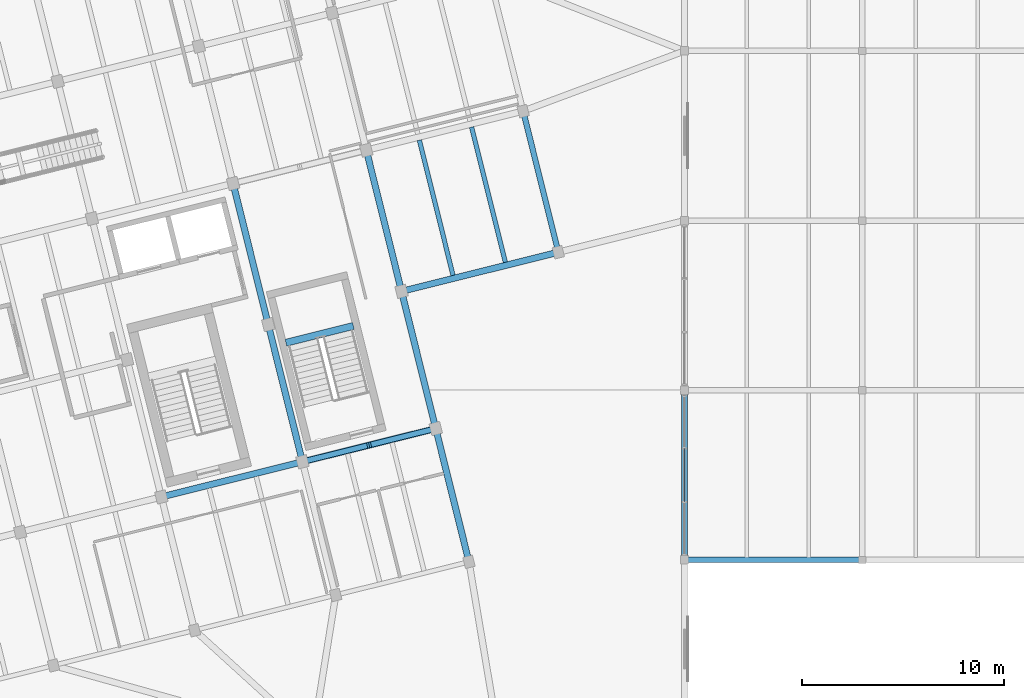
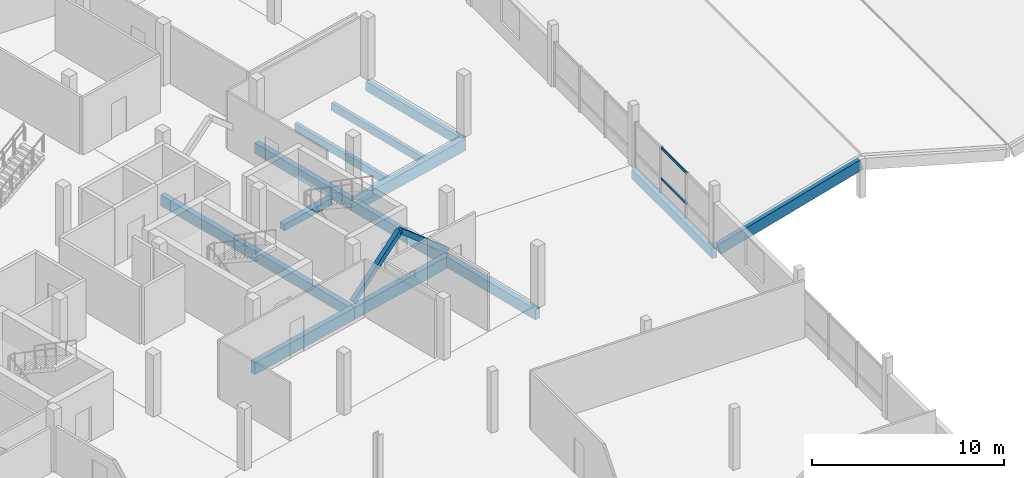
# One storey, part 24 of 47: 14 beams, 4 members, 1 element without a shape of its own.
"""IFC4 building model written with IfcOpenShell, lengths in metres."""

from ifc_helpers import new_model, si_unit, direction, frame, origin, origin_2d, place, context, subcontext, project, spatial, rectangle, hollow_rectangle, extrude, material, layer, layer_set, material_profile, profile_set, type_object, element, aggregate, save


model = new_model("IFC4")

# Units and contexts
model_context = context("Model", 3, precision=1e-05, world=origin(), true_north=direction((0.0, 1.0)))
body_context = subcontext(model_context, "Body", "Model", "MODEL_VIEW")
ifc_project = project(units=[si_unit("LENGTHUNIT", "METRE"), si_unit("AREAUNIT", "SQUARE_METRE"), si_unit("VOLUMEUNIT", "CUBIC_METRE"), si_unit("PLANEANGLEUNIT", "RADIAN"), si_unit("MASSUNIT", "GRAM", prefix="KILO")], contexts=[model_context])

# Site, building, storey
site_placement = place(None, origin())
site = spatial("IfcSite", under=ifc_project, at=site_placement, CompositionType="ELEMENT")
building_placement = place(site_placement, origin())
building = spatial("IfcBuilding", under=site, at=building_placement, Name="Meriwether Solvik Hall", CompositionType="ELEMENT")
storey_placement = place(building_placement, frame((0.0, 0.0, 18.300048828125)))
storey = spatial("IfcBuildingStorey", under=building, at=storey_placement, Name="L04", CompositionType="ELEMENT", Elevation=18.300048828125)

# Beams
ifc_material_1 = material(Name="Glulam Douglas-Fir 24F-V8 GL28h", Category="wood")
ifc_material_profile_1 = material_profile(ifc_material_1, rectangle(XDim=0.27294921875, YDim=0.610107421875, at=origin_2d()), Name="GLB-273X610")
ifc_profile_set_1 = profile_set([ifc_material_profile_1], Name="Glulam Douglas-Fir 24F-V8 GL28h")
beam_type_1 = type_object("IfcBeamType", Name="BM-GL-273X610", PredefinedType="SPANDREL", material=ifc_profile_set_1)
beam_1_placement = place(storey_placement, frame((114.199951171875, 50.0, -0.550048828125), z_axis=(0.0, 1.0, 0.0), x_axis=(-1.0, 0.0, 0.0)))
element("IfcBeam", 1, at=beam_1_placement, inside=storey, type_object=beam_type_1, Name="Podium Girder 13:F-G (L04)", PredefinedType="SPANDREL", context=body_context, shape_type="SweptSolid", body=[
    extrude(rectangle(XDim=0.27294921875, YDim=0.610107421875, at=origin_2d()), origin(), (0.0, 0.0, 1.0), 8.39990234375),
])
beam_2_placement = place(storey_placement, frame((107.95458984375, 65.234619140625, -0.550048828125), z_axis=(-0.241937193493, 0.970291911955, 0.0), x_axis=(-0.970291911955, -0.241937193493, 0.0)))
element("IfcBeam", 2, at=beam_2_placement, inside=storey, type_object=beam_type_1, Name="Tower Girder T7:TC-TD (L04)", PredefinedType="SPANDREL", context=body_context, shape_type="SweptSolid", body=[
    extrude(rectangle(XDim=0.27294921875, YDim=0.610107421875, at=origin_2d()), origin(), (0.0, 0.0, 1.0), 7.199951171875),
])
ifc_material_2 = material(Name="Glulam Douglas-Fir 24F-V8 GL28h", Category="wood")
ifc_material_profile_2 = material_profile(ifc_material_2, rectangle(XDim=0.27294921875, YDim=0.68505859375, at=origin_2d()), Name="GLB-273X685")
ifc_profile_set_2 = profile_set([ifc_material_profile_2], Name="Glulam Douglas-Fir 24F-V8 GL28h")
beam_type_2 = type_object("IfcBeamType", Name="BM-GL-273X685", PredefinedType="BEAM", material=ifc_profile_set_2)
beam_3_placement = place(storey_placement, frame((114.4208984375, 50.0, -0.31298828125), z_axis=(0.962504746474, 0.0, 0.271264839252), x_axis=(0.0, 1.0, 0.0)))
element("IfcBeam", 3, at=beam_3_placement, inside=storey, type_object=beam_type_2, Name="Raking Glulam Roof Rafter w3_fold_1w-F (L04)", PredefinedType="BEAM", context=body_context, shape_type="SweptSolid", body=[
    extrude(rectangle(XDim=0.27294921875, YDim=0.68505859375, at=origin_2d()), origin(), (0.0, 0.0, 1.0), 8.876708984375),
])
ifc_material_3 = material(Name="Glulam Douglas-Fir 24F-V8 GL28h", Category="wood")
ifc_material_profile_3 = material_profile(ifc_material_3, rectangle(XDim=0.31494140625, YDim=0.68505859375, at=origin_2d()), Name="GLB-315X685")
ifc_profile_set_3 = profile_set([ifc_material_profile_3], Name="Glulam Douglas-Fir 24F-V8 GL28h")
beam_type_3 = type_object("IfcBeamType", Name="BM-GL-315X685", PredefinedType="BEAM", material=ifc_profile_set_3)
beam_4_placement = place(storey_placement, frame((95.28759765625, 54.862060546875, -0.587646484375), z_axis=(-0.241936527961, 0.970292077901, 0.0), x_axis=(-0.970292077901, -0.241936527961, 0.0)))
element("IfcBeam", 4, at=beam_4_placement, inside=storey, type_object=beam_type_3, Name="Tower Girder T5:TB-TC (L04)", PredefinedType="BEAM", context=body_context, shape_type="SweptSolid", body=[
    extrude(rectangle(XDim=0.31494140625, YDim=0.68505859375, at=origin_2d()), origin(), (0.0, 0.0, 1.0), 7.000244140625),
])
beam_5_placement = place(storey_placement, frame((93.593994140625, 61.654296875, -0.587646484375), z_axis=(-0.241905269381, 0.970299871507, 0.0), x_axis=(-0.970299871507, -0.241905269381, 0.0)))
element("IfcBeam", 5, at=beam_5_placement, inside=storey, type_object=beam_type_3, Name="Tower Girder T5:TC-TD (L04)", PredefinedType="BEAM", context=body_context, shape_type="SweptSolid", body=[
    extrude(rectangle(XDim=0.31494140625, YDim=0.68505859375, at=origin_2d()), origin(), (0.0, 0.0, 1.0), 7.199951171875),
])
beam_6_placement = place(storey_placement, frame((103.53076171875, 49.9091796875, -0.587646484375), z_axis=(-0.2419526798, 0.970288050394, 0.0), x_axis=(-0.970288050394, -0.2419526798, 0.0)))
element("IfcBeam", 6, at=beam_6_placement, inside=storey, type_object=beam_type_3, Name="Tower Girder T6:TA-TB (L04)", PredefinedType="BEAM", context=body_context, shape_type="SweptSolid", body=[
    extrude(rectangle(XDim=0.31494140625, YDim=0.68505859375, at=origin_2d()), origin(), (0.0, 0.0, 1.0), 6.800048828125),
])
beam_7_placement = place(storey_placement, frame((101.885498046875, 56.507080078125, -0.587646484375), z_axis=(-0.241903692719, 0.970300264582, 0.0), x_axis=(-0.970300264582, -0.241903692719, 0.0)))
element("IfcBeam", 7, at=beam_7_placement, inside=storey, type_object=beam_type_3, Name="Tower Girder T6:TB-TC (L04)", PredefinedType="BEAM", context=body_context, shape_type="SweptSolid", body=[
    extrude(rectangle(XDim=0.31494140625, YDim=0.68505859375, at=origin_2d()), origin(), (0.0, 0.0, 1.0), 7.000244140625),
])
beam_8_placement = place(storey_placement, frame((100.192138671875, 63.29931640625, -0.587646484375), z_axis=(-0.241937193493, 0.970291911955, 0.0), x_axis=(-0.970291911955, -0.241937193493, 0.0)))
element("IfcBeam", 8, at=beam_8_placement, inside=storey, type_object=beam_type_3, Name="Tower Girder T6:TC-TD (L04)", PredefinedType="BEAM", context=body_context, shape_type="SweptSolid", body=[
    extrude(rectangle(XDim=0.31494140625, YDim=0.68505859375, at=origin_2d()), origin(), (0.0, 0.0, 1.0), 7.199951171875),
])
ifc_material_4 = material(Name="Glulam Douglas-Fir 24F-V8 GL28h", Category="wood")
ifc_material_profile_4 = material_profile(ifc_material_4, rectangle(XDim=0.31494140625, YDim=0.760009765625, at=origin_2d()), Name="GLB-315X760")
ifc_profile_set_4 = profile_set([ifc_material_profile_4], Name="Glulam Douglas-Fir 24F-V8 GL28h")
beam_type_4 = type_object("IfcBeamType", Name="BM-GL-315X760", PredefinedType="BEAM", material=ifc_profile_set_4)
beam_9_placement = place(storey_placement, frame((88.301513671875, 53.120361328125, -0.625), z_axis=(0.970299871507, 0.241905269381, 0.0), x_axis=(-0.241905269381, 0.970299871507, 0.0)))
element("IfcBeam", 9, at=beam_9_placement, inside=storey, type_object=beam_type_4, Name="Tower Girder TB:T4-T5 (L04)", PredefinedType="BEAM", context=body_context, shape_type="SweptSolid", body=[
    extrude(rectangle(XDim=0.31494140625, YDim=0.760009765625, at=origin_2d()), origin(), (0.0, 0.0, 1.0), 7.199951171875),
])
beam_10_placement = place(storey_placement, frame((95.28759765625, 54.862060546875, -0.625), z_axis=(0.970296478685, 0.241918877831, 0.0), x_axis=(-0.241918877831, 0.970296478685, 0.0)))
element("IfcBeam", 10, at=beam_10_placement, inside=storey, type_object=beam_type_4, Name="Tower Girder TB:T5-T6 (L04)", PredefinedType="BEAM", context=body_context, shape_type="SweptSolid", body=[
    extrude(rectangle(XDim=0.31494140625, YDim=0.760009765625, at=origin_2d()), origin(), (0.0, 0.0, 1.0), 6.7998046875),
])
beam_11_placement = place(storey_placement, frame((100.192138671875, 63.29931640625, -0.625), z_axis=(0.970298475929, 0.241910867076, 0.0), x_axis=(-0.241910867076, 0.970298475929, 0.0)))
element("IfcBeam", 11, at=beam_11_placement, inside=storey, type_object=beam_type_4, Name="Tower Girder TC:T6-T7 (L04)", PredefinedType="BEAM", context=body_context, shape_type="SweptSolid", body=[
    extrude(rectangle(XDim=0.31494140625, YDim=0.760009765625, at=origin_2d()), origin(), (0.0, 0.0, 1.0), 8.0),
])
ifc_material_5 = material(Name="Concrete C40/50", Category="concrete")
ifc_material_profile_5 = material_profile(ifc_material_5, rectangle(XDim=0.35009765625, YDim=0.419921875, at=origin_2d()), Name="RCB-350X420")
ifc_profile_set_5 = profile_set([ifc_material_profile_5], Name="Concrete C40/50")
beam_type_5 = type_object("IfcBeamType", Name="BM-LND-RC-350X420", PredefinedType="BEAM", material=ifc_profile_set_5)
beam_12_placement = place(storey_placement, frame((94.4677734375, 60.75390625, 1.5400390625), z_axis=(0.970309259708, 0.2418676095, 0.0), x_axis=(-0.2418676095, 0.970309259708, 0.0)))
element("IfcBeam", 12, at=beam_12_placement, inside=storey, type_object=beam_type_5, Name="Stair ST-03 Half-Landing Header Beam (L04)", PredefinedType="BEAM", context=body_context, shape_type="SweptSolid", body=[
    extrude(rectangle(XDim=0.35009765625, YDim=0.419921875, at=origin_2d()), origin(), (0.0, 0.0, 1.0), 3.43994140625),
])

# Curtain wall, members
ifc_material_6 = material(Name="Thermally Broken Anodised Aluminium 6063-T6 and Low-E Glass", Category="aluminium")
ifc_layer = layer(ifc_material_6, 0.179931640625)
ifc_layer_set = layer_set([ifc_layer], Name="Thermally Broken Anodised Aluminium 6063-T6 and Low-E Glass")
curtain_wall_type = type_object("IfcCurtainWallType", Name="CW-UNIT-E", PredefinedType="USERDEFINED", material=ifc_layer_set)
curtain_wall_placement = place(storey_placement, origin())
curtain_wall = element("IfcCurtainWall", 13, at=curtain_wall_placement, inside=storey, type_object=curtain_wall_type, Name="Curtain Wall wing_Y13_6_27 (L04)", ObjectType="UNITISED CURTAIN WALL", PredefinedType="USERDEFINED")
ifc_material_7 = material(Name="Anodised Aluminium 6063-T6", Category="aluminium")
ifc_material_profile_6 = material_profile(ifc_material_7, hollow_rectangle(XDim=0.070068359375, YDim=0.14990234375, WallThickness=0.0048828125, at=origin_2d()), Name="CWT-70X150")
ifc_profile_set_6 = profile_set([ifc_material_profile_6], Name="Anodised Aluminium 6063-T6")
member_type_1 = type_object("IfcMemberType", Name="CW-TRN-70X150", PredefinedType="USERDEFINED", material=ifc_profile_set_6)
member_1_placement = place(storey_placement, frame((114.199951171875, 55.52587890625, 0.8564453125), z_axis=(0.0, -1.0, 0.0), x_axis=(1.0, 0.0, 0.0)))
member_1 = element("IfcMember", 14, at=member_1_placement, type_object=member_type_1, Name="Curtain Wall Transom 2-sill", ObjectType="TRANSOM", PredefinedType="USERDEFINED", context=body_context, shape_type="SweptSolid", body=[
    extrude(hollow_rectangle(XDim=0.070068359375, YDim=0.14990234375, WallThickness=0.0048828125, at=origin_2d()), origin(), (0.0, 0.0, 1.0), 2.65185546875),
])
member_2_placement = place(storey_placement, frame((114.199951171875, 55.52587890625, 2.794921875), z_axis=(0.0, -1.0, 0.0), x_axis=(1.0, 0.0, 0.0)))
member_2 = element("IfcMember", 15, at=member_2_placement, type_object=member_type_1, Name="Curtain Wall Transom 2-head", ObjectType="TRANSOM", PredefinedType="USERDEFINED", context=body_context, shape_type="SweptSolid", body=[
    extrude(hollow_rectangle(XDim=0.070068359375, YDim=0.14990234375, WallThickness=0.0048828125, at=origin_2d()), origin(), (0.0, 0.0, 1.0), 2.65185546875),
])
aggregate(curtain_wall, [member_1, member_2])

# Beams
ifc_material_8 = material(Name="Glulam Douglas-Fir 24F-V8 GL28h", Category="wood")
ifc_material_profile_7 = material_profile(ifc_material_8, rectangle(XDim=0.221923828125, YDim=0.4951171875, at=origin_2d()), Name="GLJ-222X495")
ifc_profile_set_7 = profile_set([ifc_material_profile_7], Name="Glulam Douglas-Fir 24F-V8 GL28h")
beam_type_6 = type_object("IfcBeamType", Name="JST-GL-222X495", PredefinedType="JOIST", material=ifc_profile_set_7)
for number, where, z_axis, x_axis, name in (
    (16, (102.74267578125, 64.09228515625, -0.492431640625), (-0.241910719241, 0.970298512787, 0.0), (-0.970298512787, -0.241910719241, 0.0), "Glulam Floor Joist T6/TC-J1 (L04)"),
    (17, (105.330078125, 64.737548828125, -0.492431640625), (-0.241910719241, 0.970298512787, 0.0), (-0.970298512787, -0.241910719241, 0.0), "Glulam Floor Joist T6/TC-J2 (L04)"),
):
    element("IfcBeam", number, at=place(storey_placement, frame(where, z_axis=z_axis, x_axis=x_axis)), inside=storey, type_object=beam_type_6, Name=name, PredefinedType="JOIST", context=body_context, shape_type="SweptSolid", body=[
        extrude(rectangle(XDim=0.221923828125, YDim=0.4951171875, at=origin_2d()), origin(), (0.0, 0.0, 1.0), 6.89501953125),
    ])

# Members
ifc_material_9 = material(Name="Glulam Douglas-Fir 24F-V8 GL28h", Category="wood")
ifc_material_profile_8 = material_profile(ifc_material_9, rectangle(XDim=0.27294921875, YDim=0.304931640625, at=origin_2d()), Name="GLM-273X305")
ifc_profile_set_8 = profile_set([ifc_material_profile_8], Name="Glulam Douglas-Fir 24F-V8 GL28h")
member_type_2 = type_object("IfcMemberType", Name="MEM-BR-GL273", PredefinedType="BRACE", material=ifc_profile_set_8)
member_3_placement = place(storey_placement, frame((95.28759765625, 54.862060546875, 0.050048828125), z_axis=(0.739849577437, 0.184455948078, 0.646991967481), x_axis=(-0.24191045034, 0.970298579828, 0.0)))
element("IfcMember", 18, at=member_3_placement, inside=storey, type_object=member_type_2, Name="Tower Chevron Brace L04-B3A", PredefinedType="BRACE", context=body_context, shape_type="SweptSolid", body=[
    extrude(rectangle(XDim=0.27294921875, YDim=0.304931640625, at=origin_2d()), origin(), (0.0, 0.0, 1.0), 4.459228515625),
])
member_4_placement = place(storey_placement, frame((101.885498046875, 56.507080078125, 0.050048828125), z_axis=(-0.739824794414, -0.184463420099, 0.647018176109), x_axis=(0.241927305891, -0.970294377323, 0.0)))
element("IfcMember", 19, at=member_4_placement, inside=storey, type_object=member_type_2, Name="Tower Chevron Brace L04-B3B", PredefinedType="BRACE", context=body_context, shape_type="SweptSolid", body=[
    extrude(rectangle(XDim=0.27294921875, YDim=0.304931640625, at=origin_2d()), origin(), (0.0, 0.0, 1.0), 4.458984375),
])

save(model, "model.ifc")
